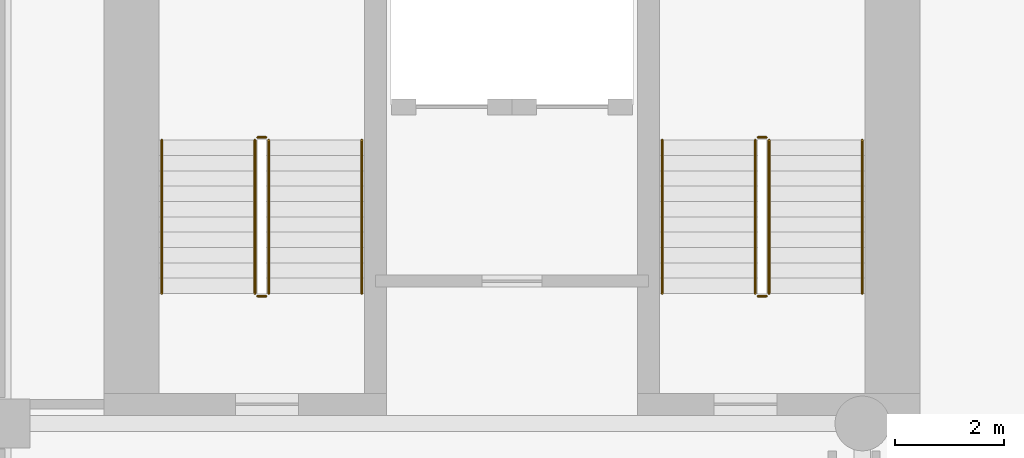
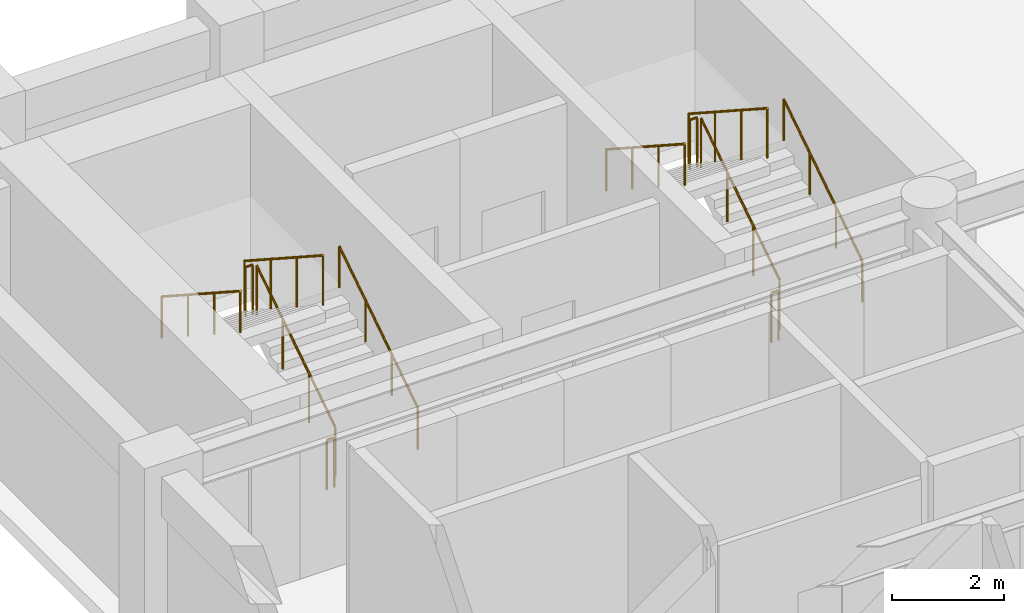
# One storey, part 9 of 10: 12 railings.
"""IFC4 building model written with IfcOpenShell, lengths in metres."""

import ifcopenshell
import ifcopenshell.guid

model = None  # the IFC model being written
_history = None  # IfcOwnerHistory: only IFC2X3 demands one
_inside = {}  # id of a spatial element -> (the spatial element, [elements in it])
_under = {}  # id of a project, library or spatial element -> (it, [spatial elements below it])
_declared = {}  # id of a project -> (the project, [libraries it declares])
_typed = {}  # id of a type object -> (the type object, [elements of that type])
_made_of = {}  # id of a material, layer set ... -> (it, [elements and type objects made of it])


def new_model(schema):
    """Start an empty IFC model of exactly this schema.

    Asked for "IFC4X3", IfcOpenShell would pick the latest addendum, in which some entities
    have other attributes; the version numbers below select the first issue.
    IFC2X3 requires an IfcOwnerHistory on every rooted entity: one is made here for all.
    """
    global model, _history
    if schema == "IFC4X3":
        model = ifcopenshell.file(schema_version=(4, 3, 0, 0))
    else:
        model = ifcopenshell.file(schema=schema)
    _inside.clear()
    _under.clear()
    _declared.clear()
    _typed.clear()
    _made_of.clear()
    _history = None
    if model.schema == "IFC2X3":
        org = make("IfcOrganization", Name="unknown")
        user = make(
            "IfcPersonAndOrganization",
            ThePerson=make("IfcPerson", FamilyName="unknown"),
            TheOrganization=org,
        )
        app = make(
            "IfcApplication",
            ApplicationDeveloper=org,
            Version="unknown",
            ApplicationFullName="unknown",
            ApplicationIdentifier="unknown",
        )
        _history = make(
            "IfcOwnerHistory",
            OwningUser=user,
            OwningApplication=app,
            ChangeAction="ADDED",
            CreationDate=0,
        )
    return model


def make(cls, **values):
    """One entity of the class cls with the attributes given. An attribute that is None is left unset."""
    return model.create_entity(
        cls, **{name: value for name, value in values.items() if value is not None}
    )


def rooted(cls, **values):
    """An entity with a GlobalId (a new one), such as an element, a storey or a relation."""
    return make(cls, GlobalId=ifcopenshell.guid.new(), OwnerHistory=_history, **values)


def si_unit(unit_type, name, prefix=None):
    """IfcSIUnit, for example si_unit("LENGTHUNIT", "METRE", prefix="MILLI")."""
    return make("IfcSIUnit", UnitType=unit_type, Prefix=prefix, Name=name)


def assignment(units):
    """IfcUnitAssignment: the units of a project."""
    return None if units is None else make("IfcUnitAssignment", Units=units)


def point(xyz):
    """IfcCartesianPoint."""
    return None if xyz is None else make("IfcCartesianPoint", Coordinates=xyz)


def direction(xyz):
    """IfcDirection."""
    return None if xyz is None else make("IfcDirection", DirectionRatios=xyz)


def frame(location, z_axis=None, x_axis=None):
    """IfcAxis2Placement3D, a coordinate frame: its origin and axes. An axis left out is left unset."""
    return make(
        "IfcAxis2Placement3D",
        Location=point(location),
        Axis=direction(z_axis),
        RefDirection=direction(x_axis),
    )


def frame_2d(location, x_axis=None):
    """IfcAxis2Placement2D, a coordinate frame in the plane: its origin and x axis."""
    return make(
        "IfcAxis2Placement2D", Location=point(location), RefDirection=direction(x_axis)
    )


def origin():
    """The frame at (0, 0, 0) with its axes left unset."""
    return frame((0.0, 0.0, 0.0))


def origin_2d():
    """The frame at (0, 0) in the plane with its x axis left unset."""
    return frame_2d((0.0, 0.0))


def place(relative_to, where):
    """IfcLocalPlacement: puts the frame where relative to a parent placement (None: the world)."""
    return make(
        "IfcLocalPlacement", PlacementRelTo=relative_to, RelativePlacement=where
    )


def context(
    kind, dimensions, precision=None, world=None, true_north=None, identifier=None
):
    """IfcGeometricRepresentationContext, for example the 3D "Model" context."""
    return make(
        "IfcGeometricRepresentationContext",
        ContextIdentifier=identifier,
        ContextType=kind,
        CoordinateSpaceDimension=dimensions,
        Precision=precision,
        WorldCoordinateSystem=world,
        TrueNorth=true_north,
    )


def subcontext(parent, identifier, kind, view, scale=None):
    """IfcGeometricRepresentationSubContext, for example "Body" below "Model"."""
    return make(
        "IfcGeometricRepresentationSubContext",
        ContextIdentifier=identifier,
        ContextType=kind,
        ParentContext=parent,
        TargetScale=scale,
        TargetView=view,
    )


def project(units=None, contexts=None):
    """IfcProject with its units and contexts."""
    return rooted(
        "IfcProject",
        Name="project",
        RepresentationContexts=contexts,
        UnitsInContext=assignment(units),
    )


def spatial(cls, under=None, at=None, **own):
    """A site, building, storey or space (cls), placed at a placement, below another one or the project."""
    s = rooted(cls, ObjectPlacement=at, **own)
    if under is not None:
        _under.setdefault(under.id(), (under, []))[1].append(s)
    return s


def profile(cls, at=None, kind="AREA", **sizes):
    """A parametric profile (cls). Its sizes go by their IFC names, for example OverallWidth=200.0."""
    return make(cls, ProfileType=kind, Position=at, **sizes)


def circle(**sizes):
    """IfcCircleProfileDef."""
    return profile("IfcCircleProfileDef", **sizes)


def extrude(swept, where, along, depth):
    """IfcExtrudedAreaSolid: the profile swept, set in the frame where, extruded along a direction by depth."""
    return make(
        "IfcExtrudedAreaSolid",
        SweptArea=swept,
        Position=where,
        ExtrudedDirection=direction(along),
        Depth=depth,
    )


def shape(context_of_items, identifier, shape_type, items):
    """IfcShapeRepresentation: the items that make up one representation, for example the "Body"."""
    return make(
        "IfcShapeRepresentation",
        ContextOfItems=context_of_items,
        RepresentationIdentifier=identifier,
        RepresentationType=shape_type,
        Items=items,
    )


def material(Name=None, Category=None):
    """IfcMaterial."""
    return make("IfcMaterial", Name=Name, Category=Category)


def made_of(thing, what):
    """Note that an element or type object is made of a material, layer set ...; save() writes the relation."""
    if what is not None:
        _made_of.setdefault(what.id(), (what, []))[1].append(thing)
    return thing


def type_object(cls, material=None, **own):
    """A type object (cls), such as IfcWallType, which elements share."""
    return made_of(rooted(cls, **own), material)


def element(
    cls,
    number,
    at=None,
    inside=None,
    cuts=None,
    type_object=None,
    material=None,
    context=None,
    identifier="Body",
    shape_type=None,
    held_by="IfcProductDefinitionShape",
    body=None,
    shapes=None,
    **own,
):
    """One element of the class cls, such as IfcWall. Its Tag is "e" and its number.

    at: its placement. inside: the storey or other place that contains it. cuts: it is an
    opening in that element (IfcRelVoidsElement). A single representation is given by context,
    identifier, shape_type and body (its items); several are given by shapes. held_by: the class
    of the entity that holds the representations. save() writes the other relations.
    """
    e = rooted(cls, Tag="e%d" % number, ObjectPlacement=at, **own)
    if body is not None:
        shapes = [shape(context, identifier, shape_type, body)]
    if shapes is not None:
        e.Representation = make(held_by, Representations=shapes)
    if inside is not None:
        _inside.setdefault(inside.id(), (inside, []))[1].append(e)
    if cuts is not None:
        rooted(
            "IfcRelVoidsElement", RelatingBuildingElement=cuts, RelatedOpeningElement=e
        )
    if type_object is not None:
        _typed.setdefault(type_object.id(), (type_object, []))[1].append(e)
    return made_of(e, material)


def aggregate(whole, parts):
    """IfcRelAggregates: a whole, such as a stair, and the parts it consists of."""
    return rooted("IfcRelAggregates", RelatingObject=whole, RelatedObjects=parts)


def save(model, path):
    """Write the relations noted so far, then the file.

    IfcRelAggregates (storeys below a building ...), IfcRelContainedInSpatialStructure (elements
    in a storey), IfcRelDefinesByType, IfcRelAssociatesMaterial and IfcRelDeclares: one each for
    every whole, place, type object, material and project.
    """
    for whole, parts in _under.values():
        aggregate(whole, parts)
    for where, things in _inside.values():
        rooted(
            "IfcRelContainedInSpatialStructure",
            RelatedElements=things,
            RelatingStructure=where,
        )
    for kind, things in _typed.values():
        rooted("IfcRelDefinesByType", RelatedObjects=things, RelatingType=kind)
    for what, things in _made_of.values():
        rooted("IfcRelAssociatesMaterial", RelatedObjects=things, RelatingMaterial=what)
    for by, libraries in _declared.values():
        rooted("IfcRelDeclares", RelatingContext=by, RelatedDefinitions=libraries)
    model.write(path)


model = new_model("IFC4")

# Units and contexts
model_context = context("Model", 3, precision=1e-05, world=origin(), true_north=direction((0.0, 1.0)))
body_context = subcontext(model_context, "Body", "Model", "MODEL_VIEW")
ifc_project = project(units=[si_unit("LENGTHUNIT", "METRE"), si_unit("AREAUNIT", "SQUARE_METRE"), si_unit("VOLUMEUNIT", "CUBIC_METRE"), si_unit("PLANEANGLEUNIT", "RADIAN"), si_unit("MASSUNIT", "GRAM", prefix="KILO")], contexts=[model_context])

# Site, building, storey
site_placement = place(None, origin())
site = spatial("IfcSite", under=ifc_project, at=site_placement, CompositionType="ELEMENT")
building_placement = place(site_placement, origin())
building = spatial("IfcBuilding", under=site, at=building_placement, Name="Sulina Concourse Tower", CompositionType="ELEMENT")
storey_placement = place(building_placement, frame((0.0, 0.0, 58.60009765625)))
storey = spatial("IfcBuildingStorey", under=building, at=storey_placement, Name="L14", CompositionType="ELEMENT", Elevation=58.60009765625)

# Railings
ifc_material_1 = material(Name="Galvanised steel railing", Category="steel")
railing_type_1 = type_object("IfcRailingType", Name="Core Stair Steel Guardrail 1150mm", PredefinedType="GUARDRAIL", material=ifc_material_1)
railing_1_placement = place(storey_placement, frame((5.554931640625, 36.375, 0.181640625)))
element("IfcRailing", 1, at=railing_1_placement, inside=storey, type_object=railing_type_1, Name="L14 ST-1 stair guard 1", PredefinedType="GUARDRAIL", context=body_context, shape_type="SweptSolid", body=[
    extrude(circle(Radius=0.02392578125, at=origin_2d()), frame((0.0, 0.0, 1.076171875), z_axis=(0.0, 0.838672427954, 0.544636170843), x_axis=(-1.0, 0.0, 0.0)), (0.0, 0.0, 1.0), 3.338623046875),
    extrude(circle(Radius=0.02099609375, at=origin_2d()), origin(), (0.0, 0.0, 1.0), 1.052001953125),
    extrude(circle(Radius=0.02099609375, at=origin_2d()), frame((0.0, 0.933349609375, 0.606201171875)), (0.0, 0.0, 1.0), 1.052001953125),
    extrude(circle(Radius=0.02099609375, at=origin_2d()), frame((0.0, 1.86669921875, 1.212158203125)), (0.0, 0.0, 1.0), 1.052001953125),
    extrude(circle(Radius=0.02099609375, at=origin_2d()), frame((0.0, 2.800048828125, 1.818359375)), (0.0, 0.0, 1.0), 1.052001953125),
])
railing_2_placement = place(storey_placement, frame((5.5048828125, 39.22509765625, 2.0)))
element("IfcRailing", 2, at=railing_2_placement, inside=storey, type_object=railing_type_1, Name="L14 ST-1 stair guard 2", PredefinedType="GUARDRAIL", context=body_context, shape_type="SweptSolid", body=[
    extrude(circle(Radius=0.02392578125, at=origin_2d()), frame((0.0, 0.0, 1.076171875), z_axis=(-1.0, 0.0, 0.0), x_axis=(0.0, -1.0, 0.0)), (0.0, 0.0, 1.0), 0.14990234375),
    extrude(circle(Radius=0.02099609375, at=origin_2d()), origin(), (0.0, 0.0, 1.0), 1.052001953125),
    extrude(circle(Radius=0.02099609375, at=origin_2d()), frame((-0.14990234375, 0.0, 0.0)), (0.0, 0.0, 1.0), 1.052001953125),
])
railing_3_placement = place(storey_placement, frame((5.304931640625, 39.175048828125, 2.181640625)))
element("IfcRailing", 3, at=railing_3_placement, inside=storey, type_object=railing_type_1, Name="L14 ST-1 stair guard 3", PredefinedType="GUARDRAIL", context=body_context, shape_type="SweptSolid", body=[
    extrude(circle(Radius=0.02392578125, at=origin_2d()), frame((0.0, 0.0, 1.076171875), z_axis=(0.0, -0.838672427954, 0.544636170843), x_axis=(1.0, 0.0, 0.0)), (0.0, 0.0, 1.0), 3.338623046875),
    extrude(circle(Radius=0.02099609375, at=origin_2d()), origin(), (0.0, 0.0, 1.0), 1.052001953125),
    extrude(circle(Radius=0.02099609375, at=origin_2d()), frame((0.0, -0.933349609375, 0.606201171875)), (0.0, 0.0, 1.0), 1.052001953125),
    extrude(circle(Radius=0.02099609375, at=origin_2d()), frame((0.0, -1.86669921875, 1.212158203125)), (0.0, 0.0, 1.0), 1.052001953125),
    extrude(circle(Radius=0.02099609375, at=origin_2d()), frame((0.0, -2.800048828125, 1.818359375)), (0.0, 0.0, 1.0), 1.052001953125),
])
railing_4_placement = place(storey_placement, frame((5.5048828125, 36.324951171875, 0.0)))
element("IfcRailing", 4, at=railing_4_placement, inside=storey, type_object=railing_type_1, Name="L14 ST-1 stair guard 4", PredefinedType="GUARDRAIL", context=body_context, shape_type="SweptSolid", body=[
    extrude(circle(Radius=0.02392578125, at=origin_2d()), frame((0.0, 0.0, 1.076171875), z_axis=(-1.0, 0.0, 0.0), x_axis=(0.0, -1.0, 0.0)), (0.0, 0.0, 1.0), 0.14990234375),
    extrude(circle(Radius=0.02099609375, at=origin_2d()), origin(), (0.0, 0.0, 1.0), 1.052001953125),
    extrude(circle(Radius=0.02099609375, at=origin_2d()), frame((-0.14990234375, 0.0, 0.0)), (0.0, 0.0, 1.0), 1.052001953125),
])
railing_5_placement = place(storey_placement, frame((14.695068359375, 36.375, 0.181640625)))
element("IfcRailing", 5, at=railing_5_placement, inside=storey, type_object=railing_type_1, Name="L14 ST-2 stair guard 1", PredefinedType="GUARDRAIL", context=body_context, shape_type="SweptSolid", body=[
    extrude(circle(Radius=0.02392578125, at=origin_2d()), frame((0.0, 0.0, 1.076171875), z_axis=(0.0, 0.838672427954, 0.544636170843), x_axis=(-1.0, 0.0, 0.0)), (0.0, 0.0, 1.0), 3.338623046875),
    extrude(circle(Radius=0.02099609375, at=origin_2d()), origin(), (0.0, 0.0, 1.0), 1.052001953125),
    extrude(circle(Radius=0.02099609375, at=origin_2d()), frame((0.0, 0.933349609375, 0.606201171875)), (0.0, 0.0, 1.0), 1.052001953125),
    extrude(circle(Radius=0.02099609375, at=origin_2d()), frame((0.0, 1.86669921875, 1.212158203125)), (0.0, 0.0, 1.0), 1.052001953125),
    extrude(circle(Radius=0.02099609375, at=origin_2d()), frame((0.0, 2.800048828125, 1.818359375)), (0.0, 0.0, 1.0), 1.052001953125),
])
railing_6_placement = place(storey_placement, frame((14.64501953125, 39.22509765625, 2.0)))
element("IfcRailing", 6, at=railing_6_placement, inside=storey, type_object=railing_type_1, Name="L14 ST-2 stair guard 2", PredefinedType="GUARDRAIL", context=body_context, shape_type="SweptSolid", body=[
    extrude(circle(Radius=0.02392578125, at=origin_2d()), frame((0.0, 0.0, 1.076171875), z_axis=(-1.0, 0.0, 0.0), x_axis=(0.0, -1.0, 0.0)), (0.0, 0.0, 1.0), 0.14990234375),
    extrude(circle(Radius=0.02099609375, at=origin_2d()), origin(), (0.0, 0.0, 1.0), 1.052001953125),
    extrude(circle(Radius=0.02099609375, at=origin_2d()), frame((-0.14990234375, 0.0, 0.0)), (0.0, 0.0, 1.0), 1.052001953125),
])
railing_7_placement = place(storey_placement, frame((14.445068359375, 39.175048828125, 2.181640625)))
element("IfcRailing", 7, at=railing_7_placement, inside=storey, type_object=railing_type_1, Name="L14 ST-2 stair guard 3", PredefinedType="GUARDRAIL", context=body_context, shape_type="SweptSolid", body=[
    extrude(circle(Radius=0.02392578125, at=origin_2d()), frame((0.0, 0.0, 1.076171875), z_axis=(0.0, -0.838672427954, 0.544636170843), x_axis=(1.0, 0.0, 0.0)), (0.0, 0.0, 1.0), 3.338623046875),
    extrude(circle(Radius=0.02099609375, at=origin_2d()), origin(), (0.0, 0.0, 1.0), 1.052001953125),
    extrude(circle(Radius=0.02099609375, at=origin_2d()), frame((0.0, -0.933349609375, 0.606201171875)), (0.0, 0.0, 1.0), 1.052001953125),
    extrude(circle(Radius=0.02099609375, at=origin_2d()), frame((0.0, -1.86669921875, 1.212158203125)), (0.0, 0.0, 1.0), 1.052001953125),
    extrude(circle(Radius=0.02099609375, at=origin_2d()), frame((0.0, -2.800048828125, 1.818359375)), (0.0, 0.0, 1.0), 1.052001953125),
])
railing_8_placement = place(storey_placement, frame((14.64501953125, 36.324951171875, 0.0)))
element("IfcRailing", 8, at=railing_8_placement, inside=storey, type_object=railing_type_1, Name="L14 ST-2 stair guard 4", PredefinedType="GUARDRAIL", context=body_context, shape_type="SweptSolid", body=[
    extrude(circle(Radius=0.02392578125, at=origin_2d()), frame((0.0, 0.0, 1.076171875), z_axis=(-1.0, 0.0, 0.0), x_axis=(0.0, -1.0, 0.0)), (0.0, 0.0, 1.0), 0.14990234375),
    extrude(circle(Radius=0.02099609375, at=origin_2d()), origin(), (0.0, 0.0, 1.0), 1.052001953125),
    extrude(circle(Radius=0.02099609375, at=origin_2d()), frame((-0.14990234375, 0.0, 0.0)), (0.0, 0.0, 1.0), 1.052001953125),
])
ifc_material_2 = material(Name="Galvanised steel railing", Category="steel")
railing_type_2 = type_object("IfcRailingType", Name="Stair Wall Steel Handrail 920mm", PredefinedType="HANDRAIL", material=ifc_material_2)
railing_9_placement = place(storey_placement, frame((7.2548828125, 36.375, 0.181640625)))
element("IfcRailing", 9, at=railing_9_placement, inside=storey, type_object=railing_type_2, Name="L14 ST-1 stair handrail 1", PredefinedType="HANDRAIL", context=body_context, shape_type="SweptSolid", body=[
    extrude(circle(Radius=0.02392578125, at=origin_2d()), frame((0.0, 0.0, 0.89599609375), z_axis=(0.0, 0.838672427954, 0.544636170843), x_axis=(-1.0, 0.0, 0.0)), (0.0, 0.0, 1.0), 3.338623046875),
    extrude(circle(Radius=0.02099609375, at=origin_2d()), origin(), (0.0, 0.0, 1.0), 0.871826171875),
    extrude(circle(Radius=0.02099609375, at=origin_2d()), frame((0.0, 0.933349609375, 0.606201171875)), (0.0, 0.0, 1.0), 0.871826171875),
    extrude(circle(Radius=0.02099609375, at=origin_2d()), frame((0.0, 1.86669921875, 1.212158203125)), (0.0, 0.0, 1.0), 0.871826171875),
    extrude(circle(Radius=0.02099609375, at=origin_2d()), frame((0.0, 2.800048828125, 1.818359375)), (0.0, 0.0, 1.0), 0.871826171875),
])
railing_10_placement = place(storey_placement, frame((3.60498046875, 39.175048828125, 2.181640625)))
element("IfcRailing", 10, at=railing_10_placement, inside=storey, type_object=railing_type_2, Name="L14 ST-1 stair handrail 2", PredefinedType="HANDRAIL", context=body_context, shape_type="SweptSolid", body=[
    extrude(circle(Radius=0.02392578125, at=origin_2d()), frame((0.0, 0.0, 0.89599609375), z_axis=(0.0, -0.838672427954, 0.544636170843), x_axis=(1.0, 0.0, 0.0)), (0.0, 0.0, 1.0), 3.338623046875),
    extrude(circle(Radius=0.02099609375, at=origin_2d()), origin(), (0.0, 0.0, 1.0), 0.871826171875),
    extrude(circle(Radius=0.02099609375, at=origin_2d()), frame((0.0, -0.933349609375, 0.606201171875)), (0.0, 0.0, 1.0), 0.871826171875),
    extrude(circle(Radius=0.02099609375, at=origin_2d()), frame((0.0, -1.86669921875, 1.212158203125)), (0.0, 0.0, 1.0), 0.871826171875),
    extrude(circle(Radius=0.02099609375, at=origin_2d()), frame((0.0, -2.800048828125, 1.818359375)), (0.0, 0.0, 1.0), 0.871826171875),
])
railing_11_placement = place(storey_placement, frame((16.39501953125, 36.375, 0.181640625)))
element("IfcRailing", 11, at=railing_11_placement, inside=storey, type_object=railing_type_2, Name="L14 ST-2 stair handrail 1", PredefinedType="HANDRAIL", context=body_context, shape_type="SweptSolid", body=[
    extrude(circle(Radius=0.02392578125, at=origin_2d()), frame((0.0, 0.0, 0.89599609375), z_axis=(0.0, 0.838672427954, 0.544636170843), x_axis=(-1.0, 0.0, 0.0)), (0.0, 0.0, 1.0), 3.338623046875),
    extrude(circle(Radius=0.02099609375, at=origin_2d()), origin(), (0.0, 0.0, 1.0), 0.871826171875),
    extrude(circle(Radius=0.02099609375, at=origin_2d()), frame((0.0, 0.933349609375, 0.606201171875)), (0.0, 0.0, 1.0), 0.871826171875),
    extrude(circle(Radius=0.02099609375, at=origin_2d()), frame((0.0, 1.86669921875, 1.212158203125)), (0.0, 0.0, 1.0), 0.871826171875),
    extrude(circle(Radius=0.02099609375, at=origin_2d()), frame((0.0, 2.800048828125, 1.818359375)), (0.0, 0.0, 1.0), 0.871826171875),
])
railing_12_placement = place(storey_placement, frame((12.7451171875, 39.175048828125, 2.181640625)))
element("IfcRailing", 12, at=railing_12_placement, inside=storey, type_object=railing_type_2, Name="L14 ST-2 stair handrail 2", PredefinedType="HANDRAIL", context=body_context, shape_type="SweptSolid", body=[
    extrude(circle(Radius=0.02392578125, at=origin_2d()), frame((0.0, 0.0, 0.89599609375), z_axis=(0.0, -0.838672427954, 0.544636170843), x_axis=(1.0, 0.0, 0.0)), (0.0, 0.0, 1.0), 3.338623046875),
    extrude(circle(Radius=0.02099609375, at=origin_2d()), origin(), (0.0, 0.0, 1.0), 0.871826171875),
    extrude(circle(Radius=0.02099609375, at=origin_2d()), frame((0.0, -0.933349609375, 0.606201171875)), (0.0, 0.0, 1.0), 0.871826171875),
    extrude(circle(Radius=0.02099609375, at=origin_2d()), frame((0.0, -1.86669921875, 1.212158203125)), (0.0, 0.0, 1.0), 0.871826171875),
    extrude(circle(Radius=0.02099609375, at=origin_2d()), frame((0.0, -2.800048828125, 1.818359375)), (0.0, 0.0, 1.0), 0.871826171875),
])

save(model, "model.ifc")
